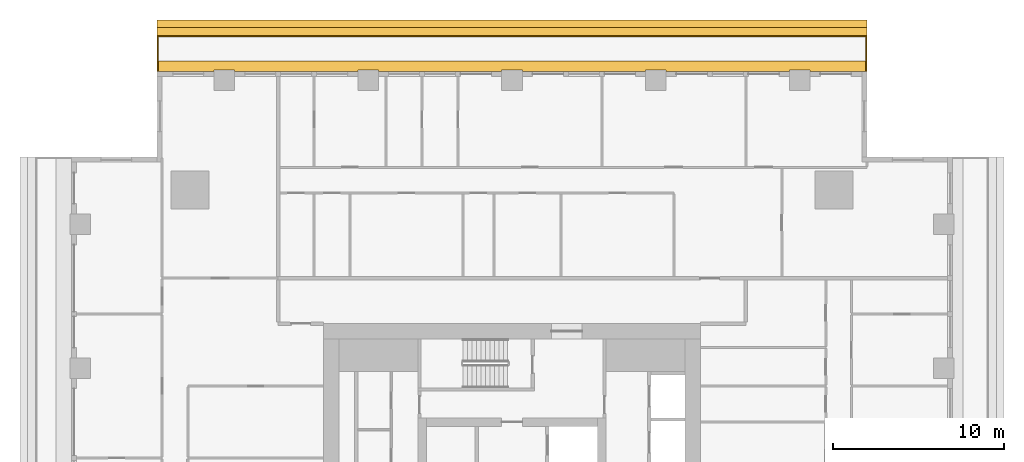
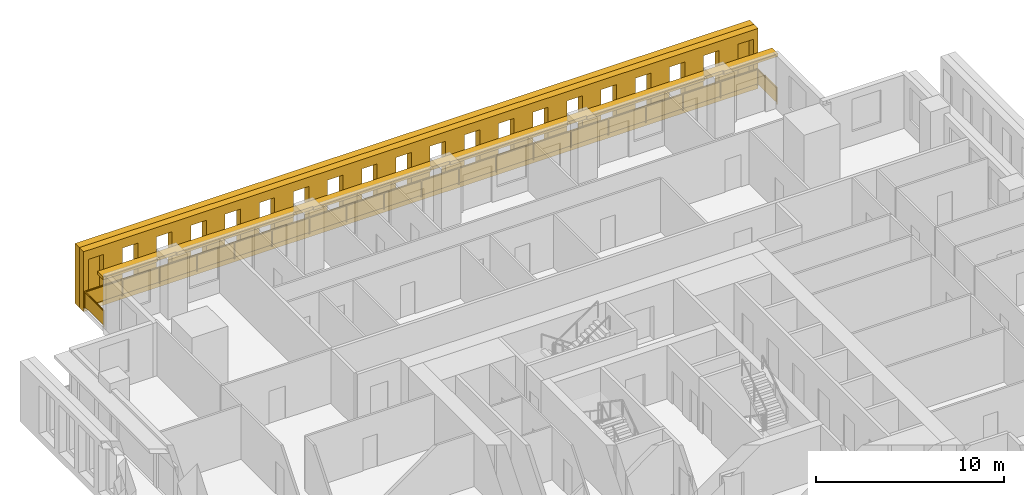
# One storey, part 14 of 14: 3 shading devices, 1 railing.
"""IFC4 building model written with IfcOpenShell, lengths in metres."""

from ifc_helpers import new_model, si_unit, direction, frame, origin, origin_2d, place, context, subcontext, project, spatial, polyline, rectangle, outline, extrude, material, layer, layer_set, type_object, element, save


model = new_model("IFC4")

# Units and contexts
model_context = context("Model", 3, precision=1e-05, world=origin(), true_north=direction((0.0, 1.0)))
body_context = subcontext(model_context, "Body", "Model", "MODEL_VIEW")
ifc_project = project(units=[si_unit("LENGTHUNIT", "METRE"), si_unit("AREAUNIT", "SQUARE_METRE"), si_unit("VOLUMEUNIT", "CUBIC_METRE"), si_unit("PLANEANGLEUNIT", "RADIAN"), si_unit("MASSUNIT", "GRAM", prefix="KILO")], contexts=[model_context])

# Site, building, storey
site_placement = place(None, origin())
site = spatial("IfcSite", under=ifc_project, at=site_placement, CompositionType="ELEMENT")
building_placement = place(site_placement, origin())
building = spatial("IfcBuilding", under=site, at=building_placement, Name="Khepri Terraces", CompositionType="ELEMENT")
storey_placement = place(building_placement, frame((0.0, 0.0, 271.800048828125)))
storey = spatial("IfcBuildingStorey", under=building, at=storey_placement, Name="L65", CompositionType="ELEMENT", Elevation=271.800048828125)

# Railing
ifc_material_1 = material(Name="Stainless steel grade 316", Category="steel")
railing_type = type_object("IfcRailingType", Name="GRD-BAL-1100", PredefinedType="GUARDRAIL", material=ifc_material_1)
railing_placement = place(storey_placement, frame((20.669921875, 25.719970703125, 0.0)))
element("IfcRailing", 1, at=railing_placement, inside=storey, type_object=railing_type, Name="Balcony guard L65 N", PredefinedType="GUARDRAIL", context=body_context, shape_type="SweptSolid", body=[
    extrude(rectangle(XDim=0.050048828125, YDim=0.06005859375, at=origin_2d()), frame((0.0, 0.0, 1.070068359375), z_axis=(0.0, 1.0, 0.0), x_axis=(-1.0, 0.0, 0.0)), (0.0, 0.0, 1.0), 2.050048828125),
    extrude(rectangle(XDim=2.0, YDim=0.011962890625, at=origin_2d()), frame((0.0, 1.02490234375, 0.10009765625), z_axis=(0.0, 0.0, 1.0), x_axis=(0.0, 1.0, 0.0)), (0.0, 0.0, 1.0), 0.93994140625),
    extrude(rectangle(XDim=0.050048828125, YDim=0.06005859375, at=origin_2d()), frame((0.0, 2.050048828125, 1.070068359375), z_axis=(-1.0, 0.0, 0.0), x_axis=(0.0, -1.0, 0.0)), (0.0, 0.0, 1.0), 41.33984375),
    extrude(rectangle(XDim=2.24658203125, YDim=0.011962890625, at=origin_2d()), frame((-1.1484375, 2.050048828125, 0.10009765625), z_axis=(0.0, 0.0, 1.0), x_axis=(-1.0, 0.0, 0.0)), (0.0, 0.0, 1.0), 0.93994140625),
    extrude(rectangle(XDim=2.24658203125, YDim=0.011962890625, at=origin_2d()), frame((-3.445068359375, 2.050048828125, 0.10009765625), z_axis=(0.0, 0.0, 1.0), x_axis=(-1.0, 0.0, 0.0)), (0.0, 0.0, 1.0), 0.93994140625),
    extrude(rectangle(XDim=2.24658203125, YDim=0.011962890625, at=origin_2d()), frame((-5.74169921875, 2.050048828125, 0.10009765625), z_axis=(0.0, 0.0, 1.0), x_axis=(-1.0, 0.0, 0.0)), (0.0, 0.0, 1.0), 0.93994140625),
    extrude(rectangle(XDim=2.24658203125, YDim=0.011962890625, at=origin_2d()), frame((-8.038330078125, 2.050048828125, 0.10009765625), z_axis=(0.0, 0.0, 1.0), x_axis=(-1.0, 0.0, 0.0)), (0.0, 0.0, 1.0), 0.93994140625),
    extrude(rectangle(XDim=2.24658203125, YDim=0.011962890625, at=origin_2d()), frame((-10.3349609375, 2.050048828125, 0.10009765625), z_axis=(0.0, 0.0, 1.0), x_axis=(-1.0, 0.0, 0.0)), (0.0, 0.0, 1.0), 0.93994140625),
    extrude(rectangle(XDim=2.24658203125, YDim=0.011962890625, at=origin_2d()), frame((-12.631591796875, 2.050048828125, 0.10009765625), z_axis=(0.0, 0.0, 1.0), x_axis=(-1.0, 0.0, 0.0)), (0.0, 0.0, 1.0), 0.93994140625),
    extrude(rectangle(XDim=2.24658203125, YDim=0.011962890625, at=origin_2d()), frame((-14.92822265625, 2.050048828125, 0.10009765625), z_axis=(0.0, 0.0, 1.0), x_axis=(-1.0, 0.0, 0.0)), (0.0, 0.0, 1.0), 0.93994140625),
    extrude(rectangle(XDim=2.24658203125, YDim=0.011962890625, at=origin_2d()), frame((-17.224853515625, 2.050048828125, 0.10009765625), z_axis=(0.0, 0.0, 1.0), x_axis=(-1.0, 0.0, 0.0)), (0.0, 0.0, 1.0), 0.93994140625),
    extrude(rectangle(XDim=2.24658203125, YDim=0.011962890625, at=origin_2d()), frame((-19.521484375, 2.050048828125, 0.10009765625), z_axis=(0.0, 0.0, 1.0), x_axis=(-1.0, 0.0, 0.0)), (0.0, 0.0, 1.0), 0.93994140625),
    extrude(rectangle(XDim=2.24658203125, YDim=0.011962890625, at=origin_2d()), frame((-21.818359375, 2.050048828125, 0.10009765625), z_axis=(0.0, 0.0, 1.0), x_axis=(-1.0, 0.0, 0.0)), (0.0, 0.0, 1.0), 0.93994140625),
    extrude(rectangle(XDim=2.24658203125, YDim=0.011962890625, at=origin_2d()), frame((-24.114990234375, 2.050048828125, 0.10009765625), z_axis=(0.0, 0.0, 1.0), x_axis=(-1.0, 0.0, 0.0)), (0.0, 0.0, 1.0), 0.93994140625),
    extrude(rectangle(XDim=2.24658203125, YDim=0.011962890625, at=origin_2d()), frame((-26.41162109375, 2.050048828125, 0.10009765625), z_axis=(0.0, 0.0, 1.0), x_axis=(-1.0, 0.0, 0.0)), (0.0, 0.0, 1.0), 0.93994140625),
    extrude(rectangle(XDim=2.24658203125, YDim=0.011962890625, at=origin_2d()), frame((-28.708251953125, 2.050048828125, 0.10009765625), z_axis=(0.0, 0.0, 1.0), x_axis=(-1.0, 0.0, 0.0)), (0.0, 0.0, 1.0), 0.93994140625),
    extrude(rectangle(XDim=2.24658203125, YDim=0.011962890625, at=origin_2d()), frame((-31.0048828125, 2.050048828125, 0.10009765625), z_axis=(0.0, 0.0, 1.0), x_axis=(-1.0, 0.0, 0.0)), (0.0, 0.0, 1.0), 0.93994140625),
    extrude(rectangle(XDim=2.24658203125, YDim=0.011962890625, at=origin_2d()), frame((-33.301513671875, 2.050048828125, 0.10009765625), z_axis=(0.0, 0.0, 1.0), x_axis=(-1.0, 0.0, 0.0)), (0.0, 0.0, 1.0), 0.93994140625),
    extrude(rectangle(XDim=2.24658203125, YDim=0.011962890625, at=origin_2d()), frame((-35.59814453125, 2.050048828125, 0.10009765625), z_axis=(0.0, 0.0, 1.0), x_axis=(-1.0, 0.0, 0.0)), (0.0, 0.0, 1.0), 0.93994140625),
    extrude(rectangle(XDim=2.24658203125, YDim=0.011962890625, at=origin_2d()), frame((-37.894775390625, 2.050048828125, 0.10009765625), z_axis=(0.0, 0.0, 1.0), x_axis=(-1.0, 0.0, 0.0)), (0.0, 0.0, 1.0), 0.93994140625),
    extrude(rectangle(XDim=2.24658203125, YDim=0.011962890625, at=origin_2d()), frame((-40.19140625, 2.050048828125, 0.10009765625), z_axis=(0.0, 0.0, 1.0), x_axis=(-1.0, 0.0, 0.0)), (0.0, 0.0, 1.0), 0.93994140625),
    extrude(rectangle(XDim=0.050048828125, YDim=0.06005859375, at=origin_2d()), frame((-41.33984375, 2.050048828125, 1.070068359375), z_axis=(0.0, -1.0, 0.0), x_axis=(1.0, 0.0, 0.0)), (0.0, 0.0, 1.0), 2.050048828125),
    extrude(rectangle(XDim=2.0, YDim=0.011962890625, at=origin_2d()), frame((-41.33984375, 1.02490234375, 0.10009765625), z_axis=(0.0, 0.0, 1.0), x_axis=(0.0, -1.0, 0.0)), (0.0, 0.0, 1.0), 0.93994140625),
    extrude(rectangle(XDim=0.050048828125, YDim=0.050048828125, at=origin_2d()), origin(), (0.0, 0.0, 1.0), 1.0400390625),
    extrude(rectangle(XDim=0.050048828125, YDim=0.050048828125, at=origin_2d()), frame((0.0, 2.050048828125, 0.0)), (0.0, 0.0, 1.0), 1.0400390625),
    extrude(rectangle(XDim=0.050048828125, YDim=0.050048828125, at=origin_2d()), frame((-2.296630859375, 2.050048828125, 0.0)), (0.0, 0.0, 1.0), 1.0400390625),
    extrude(rectangle(XDim=0.050048828125, YDim=0.050048828125, at=origin_2d()), frame((-4.59326171875, 2.050048828125, 0.0)), (0.0, 0.0, 1.0), 1.0400390625),
    extrude(rectangle(XDim=0.050048828125, YDim=0.050048828125, at=origin_2d()), frame((-6.889892578125, 2.050048828125, 0.0)), (0.0, 0.0, 1.0), 1.0400390625),
    extrude(rectangle(XDim=0.050048828125, YDim=0.050048828125, at=origin_2d()), frame((-9.1865234375, 2.050048828125, 0.0)), (0.0, 0.0, 1.0), 1.0400390625),
    extrude(rectangle(XDim=0.050048828125, YDim=0.050048828125, at=origin_2d()), frame((-11.4833984375, 2.050048828125, 0.0)), (0.0, 0.0, 1.0), 1.0400390625),
    extrude(rectangle(XDim=0.050048828125, YDim=0.050048828125, at=origin_2d()), frame((-13.780029296875, 2.050048828125, 0.0)), (0.0, 0.0, 1.0), 1.0400390625),
    extrude(rectangle(XDim=0.050048828125, YDim=0.050048828125, at=origin_2d()), frame((-16.07666015625, 2.050048828125, 0.0)), (0.0, 0.0, 1.0), 1.0400390625),
    extrude(rectangle(XDim=0.050048828125, YDim=0.050048828125, at=origin_2d()), frame((-18.373291015625, 2.050048828125, 0.0)), (0.0, 0.0, 1.0), 1.0400390625),
    extrude(rectangle(XDim=0.050048828125, YDim=0.050048828125, at=origin_2d()), frame((-20.669921875, 2.050048828125, 0.0)), (0.0, 0.0, 1.0), 1.0400390625),
    extrude(rectangle(XDim=0.050048828125, YDim=0.050048828125, at=origin_2d()), frame((-22.966552734375, 2.050048828125, 0.0)), (0.0, 0.0, 1.0), 1.0400390625),
    extrude(rectangle(XDim=0.050048828125, YDim=0.050048828125, at=origin_2d()), frame((-25.26318359375, 2.050048828125, 0.0)), (0.0, 0.0, 1.0), 1.0400390625),
    extrude(rectangle(XDim=0.050048828125, YDim=0.050048828125, at=origin_2d()), frame((-27.559814453125, 2.050048828125, 0.0)), (0.0, 0.0, 1.0), 1.0400390625),
    extrude(rectangle(XDim=0.050048828125, YDim=0.050048828125, at=origin_2d()), frame((-29.8564453125, 2.050048828125, 0.0)), (0.0, 0.0, 1.0), 1.0400390625),
    extrude(rectangle(XDim=0.050048828125, YDim=0.050048828125, at=origin_2d()), frame((-32.1533203125, 2.050048828125, 0.0)), (0.0, 0.0, 1.0), 1.0400390625),
    extrude(rectangle(XDim=0.050048828125, YDim=0.050048828125, at=origin_2d()), frame((-34.449951171875, 2.050048828125, 0.0)), (0.0, 0.0, 1.0), 1.0400390625),
    extrude(rectangle(XDim=0.050048828125, YDim=0.050048828125, at=origin_2d()), frame((-36.74658203125, 2.050048828125, 0.0)), (0.0, 0.0, 1.0), 1.0400390625),
    extrude(rectangle(XDim=0.050048828125, YDim=0.050048828125, at=origin_2d()), frame((-39.043212890625, 2.050048828125, 0.0)), (0.0, 0.0, 1.0), 1.0400390625),
    extrude(rectangle(XDim=0.050048828125, YDim=0.050048828125, at=origin_2d()), frame((-41.33984375, 2.050048828125, 0.0)), (0.0, 0.0, 1.0), 1.0400390625),
    extrude(rectangle(XDim=0.050048828125, YDim=0.050048828125, at=origin_2d()), frame((-41.33984375, 0.0, 0.0)), (0.0, 0.0, 1.0), 1.0400390625),
])

# Shading devices
ifc_material_2 = material(Name="Precast concrete C50/60 warm stone", Category="masonry")
shading_device_type_1 = type_object("IfcShadingDeviceType", Name="SCR-CELL-INNER-450", PredefinedType="USERDEFINED", material=ifc_material_2)
shading_device_1_placement = place(storey_placement, frame((20.719970703125, 27.820068359375, -0.25), z_axis=(0.0, 1.0, 0.0), x_axis=(-1.0, 0.0, 0.0)))
element("IfcShadingDevice", 2, at=shading_device_1_placement, inside=storey, type_object=shading_device_type_1, Name="Cell screen L65 N in", ObjectType="SCREEN", PredefinedType="USERDEFINED", context=body_context, shape_type="SweptSolid", body=[
    extrude(outline(polyline([(0.0, 0.0), (41.43994140625, 0.0), (41.43994140625, 3.89990234375), (0.0, 3.89990234375), (0.0, 0.0)]), holes=[polyline([(0.297607421875, 0.699951171875), (1.242431640625, 0.699951171875), (1.242431640625, 3.300048828125), (0.297607421875, 3.300048828125), (0.297607421875, 0.699951171875)]), polyline([(2.3974609375, 0.699951171875), (3.342529296875, 0.699951171875), (3.342529296875, 3.300048828125), (2.3974609375, 3.300048828125), (2.3974609375, 0.699951171875)]), polyline([(4.49755859375, 0.699951171875), (5.4423828125, 0.699951171875), (5.4423828125, 3.300048828125), (4.49755859375, 3.300048828125), (4.49755859375, 0.699951171875)]), polyline([(6.597412109375, 0.699951171875), (7.54248046875, 0.699951171875), (7.54248046875, 3.300048828125), (6.597412109375, 3.300048828125), (6.597412109375, 0.699951171875)]), polyline([(8.697509765625, 0.699951171875), (9.642578125, 0.699951171875), (9.642578125, 3.300048828125), (8.697509765625, 3.300048828125), (8.697509765625, 0.699951171875)]), polyline([(10.797607421875, 0.699951171875), (11.742431640625, 0.699951171875), (11.742431640625, 3.300048828125), (10.797607421875, 3.300048828125), (10.797607421875, 0.699951171875)]), polyline([(12.8974609375, 0.699951171875), (13.842529296875, 0.699951171875), (13.842529296875, 3.300048828125), (12.8974609375, 3.300048828125), (12.8974609375, 0.699951171875)]), polyline([(14.99755859375, 0.699951171875), (15.9423828125, 0.699951171875), (15.9423828125, 3.300048828125), (14.99755859375, 3.300048828125), (14.99755859375, 0.699951171875)]), polyline([(17.097412109375, 0.699951171875), (18.04248046875, 0.699951171875), (18.04248046875, 3.300048828125), (17.097412109375, 3.300048828125), (17.097412109375, 0.699951171875)]), polyline([(19.197509765625, 0.699951171875), (20.142578125, 0.699951171875), (20.142578125, 3.300048828125), (19.197509765625, 3.300048828125), (19.197509765625, 0.699951171875)]), polyline([(21.297607421875, 0.699951171875), (22.242431640625, 0.699951171875), (22.242431640625, 3.300048828125), (21.297607421875, 3.300048828125), (21.297607421875, 0.699951171875)]), polyline([(23.3974609375, 0.699951171875), (24.342529296875, 0.699951171875), (24.342529296875, 3.300048828125), (23.3974609375, 3.300048828125), (23.3974609375, 0.699951171875)]), polyline([(25.49755859375, 0.699951171875), (26.4423828125, 0.699951171875), (26.4423828125, 3.300048828125), (25.49755859375, 3.300048828125), (25.49755859375, 0.699951171875)]), polyline([(27.597412109375, 0.699951171875), (28.54248046875, 0.699951171875), (28.54248046875, 3.300048828125), (27.597412109375, 3.300048828125), (27.597412109375, 0.699951171875)]), polyline([(29.697509765625, 0.699951171875), (30.642578125, 0.699951171875), (30.642578125, 3.300048828125), (29.697509765625, 3.300048828125), (29.697509765625, 0.699951171875)]), polyline([(31.797607421875, 0.699951171875), (32.742431640625, 0.699951171875), (32.742431640625, 3.300048828125), (31.797607421875, 3.300048828125), (31.797607421875, 0.699951171875)]), polyline([(33.8974609375, 0.699951171875), (34.842529296875, 0.699951171875), (34.842529296875, 3.300048828125), (33.8974609375, 3.300048828125), (33.8974609375, 0.699951171875)]), polyline([(35.99755859375, 0.699951171875), (36.9423828125, 0.699951171875), (36.9423828125, 3.300048828125), (35.99755859375, 3.300048828125), (35.99755859375, 0.699951171875)]), polyline([(38.097412109375, 0.699951171875), (39.04248046875, 0.699951171875), (39.04248046875, 3.300048828125), (38.097412109375, 3.300048828125), (38.097412109375, 0.699951171875)]), polyline([(40.197509765625, 0.699951171875), (41.142578125, 0.699951171875), (41.142578125, 3.300048828125), (40.197509765625, 3.300048828125), (40.197509765625, 0.699951171875)])]), origin(), (0.0, 0.0, 1.0), 0.449951171875),
])
shading_device_type_2 = type_object("IfcShadingDeviceType", Name="SCR-CELL-OUTER-450", PredefinedType="USERDEFINED", material=ifc_material_2)
shading_device_2_placement = place(storey_placement, frame((20.719970703125, 28.27001953125, -0.25), z_axis=(0.0, 1.0, 0.0), x_axis=(-1.0, 0.0, 0.0)))
element("IfcShadingDevice", 3, at=shading_device_2_placement, inside=storey, type_object=shading_device_type_2, Name="Cell screen L65 N out", ObjectType="SCREEN", PredefinedType="USERDEFINED", context=body_context, shape_type="SweptSolid", body=[
    extrude(outline(polyline([(0.0, 0.0), (41.43994140625, 0.0), (41.43994140625, 3.89990234375), (0.0, 3.89990234375), (0.0, 0.0)]), holes=[polyline([(2.047607421875, 0.449951171875), (3.6923828125, 0.449951171875), (3.6923828125, 3.550048828125), (2.047607421875, 3.550048828125), (2.047607421875, 0.449951171875)]), polyline([(4.1474609375, 0.449951171875), (5.79248046875, 0.449951171875), (5.79248046875, 3.550048828125), (4.1474609375, 3.550048828125), (4.1474609375, 0.449951171875)]), polyline([(6.24755859375, 0.449951171875), (7.892578125, 0.449951171875), (7.892578125, 3.550048828125), (6.24755859375, 3.550048828125), (6.24755859375, 0.449951171875)]), polyline([(8.347412109375, 0.449951171875), (9.992431640625, 0.449951171875), (9.992431640625, 3.550048828125), (8.347412109375, 3.550048828125), (8.347412109375, 0.449951171875)]), polyline([(10.447509765625, 0.449951171875), (12.092529296875, 0.449951171875), (12.092529296875, 3.550048828125), (10.447509765625, 3.550048828125), (10.447509765625, 0.449951171875)]), polyline([(12.547607421875, 0.449951171875), (14.1923828125, 0.449951171875), (14.1923828125, 3.550048828125), (12.547607421875, 3.550048828125), (12.547607421875, 0.449951171875)]), polyline([(14.6474609375, 0.449951171875), (16.29248046875, 0.449951171875), (16.29248046875, 3.550048828125), (14.6474609375, 3.550048828125), (14.6474609375, 0.449951171875)]), polyline([(16.74755859375, 0.449951171875), (18.392578125, 0.449951171875), (18.392578125, 3.550048828125), (16.74755859375, 3.550048828125), (16.74755859375, 0.449951171875)]), polyline([(18.847412109375, 0.449951171875), (20.492431640625, 0.449951171875), (20.492431640625, 3.550048828125), (18.847412109375, 3.550048828125), (18.847412109375, 0.449951171875)]), polyline([(20.947509765625, 0.449951171875), (22.592529296875, 0.449951171875), (22.592529296875, 3.550048828125), (20.947509765625, 3.550048828125), (20.947509765625, 0.449951171875)]), polyline([(23.047607421875, 0.449951171875), (24.6923828125, 0.449951171875), (24.6923828125, 3.550048828125), (23.047607421875, 3.550048828125), (23.047607421875, 0.449951171875)]), polyline([(25.1474609375, 0.449951171875), (26.79248046875, 0.449951171875), (26.79248046875, 3.550048828125), (25.1474609375, 3.550048828125), (25.1474609375, 0.449951171875)]), polyline([(27.24755859375, 0.449951171875), (28.892578125, 0.449951171875), (28.892578125, 3.550048828125), (27.24755859375, 3.550048828125), (27.24755859375, 0.449951171875)]), polyline([(29.347412109375, 0.449951171875), (30.992431640625, 0.449951171875), (30.992431640625, 3.550048828125), (29.347412109375, 3.550048828125), (29.347412109375, 0.449951171875)]), polyline([(31.447509765625, 0.449951171875), (33.092529296875, 0.449951171875), (33.092529296875, 3.550048828125), (31.447509765625, 3.550048828125), (31.447509765625, 0.449951171875)]), polyline([(33.547607421875, 0.449951171875), (35.1923828125, 0.449951171875), (35.1923828125, 3.550048828125), (33.547607421875, 3.550048828125), (33.547607421875, 0.449951171875)]), polyline([(35.6474609375, 0.449951171875), (37.29248046875, 0.449951171875), (37.29248046875, 3.550048828125), (35.6474609375, 3.550048828125), (35.6474609375, 0.449951171875)]), polyline([(37.74755859375, 0.449951171875), (39.392578125, 0.449951171875), (39.392578125, 3.550048828125), (37.74755859375, 3.550048828125), (37.74755859375, 0.449951171875)])]), origin(), (0.0, 0.0, 1.0), 0.449951171875),
])
ifc_layer = layer(ifc_material_2, 0.199951171875, Name="Precast concrete C50/60 warm stone", Category="masonry")
ifc_layer_set = layer_set([ifc_layer], Name="Precast concrete C50/60 warm stone")
shading_device_type_3 = type_object("IfcShadingDeviceType", Name="SSH-BAND-STONE-200-N", PredefinedType="USERDEFINED", material=ifc_layer_set)
shading_device_3_placement = place(storey_placement, frame((0.0, 0.0, 3.099853515625)))
element("IfcShadingDevice", 4, at=shading_device_3_placement, inside=storey, type_object=shading_device_type_3, Name="Sunshade band L65 N", ObjectType="SUNSHADE", PredefinedType="USERDEFINED", context=body_context, shape_type="SweptSolid", body=[
    extrude(outline(polyline([(17.39990234375, 25.719970703125), (20.719970703125, 25.719970703125), (20.719970703125, 26.320068359375), (-20.719970703125, 26.320068359375), (-20.719970703125, 25.719970703125), (-17.39990234375, 25.719970703125), (-17.39990234375, 25.800048828125), (-16.199951171875, 25.800048828125), (-16.199951171875, 25.719970703125), (-9.0, 25.719970703125), (-9.0, 25.800048828125), (-7.800048828125, 25.800048828125), (-7.800048828125, 25.719970703125), (-0.60009765625, 25.719970703125), (-0.60009765625, 25.800048828125), (0.60009765625, 25.800048828125), (0.60009765625, 25.719970703125), (7.800048828125, 25.719970703125), (7.800048828125, 25.800048828125), (9.0, 25.800048828125), (9.0, 25.719970703125), (16.199951171875, 25.719970703125), (16.199951171875, 25.800048828125), (17.39990234375, 25.800048828125), (17.39990234375, 25.719970703125)])), origin(), (0.0, 0.0, 1.0), 0.2001953125),
])

save(model, "model.ifc")
